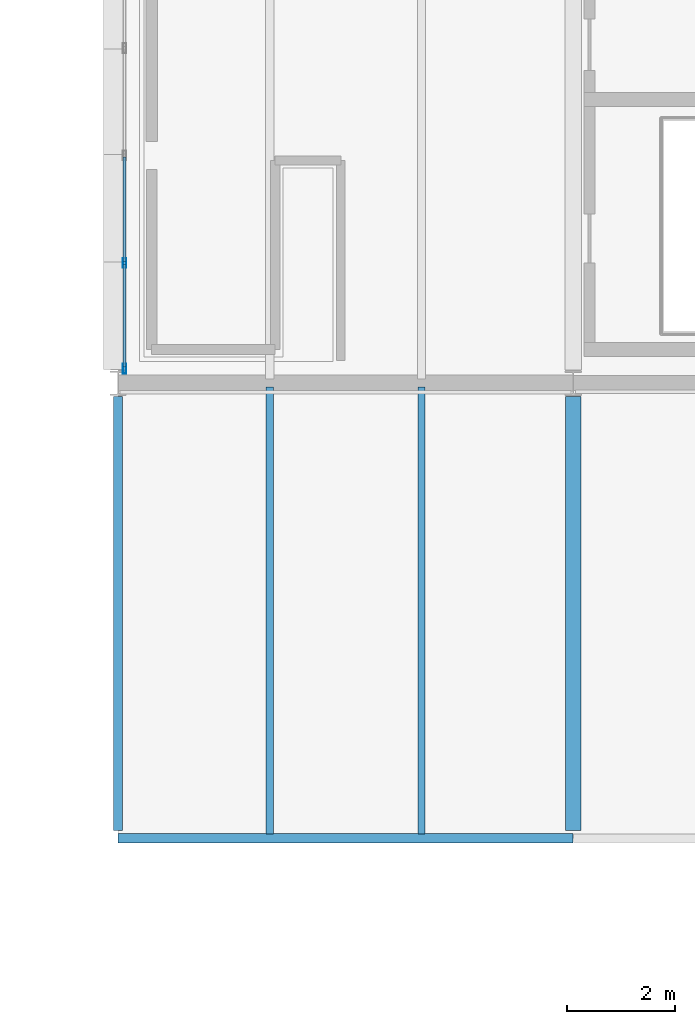
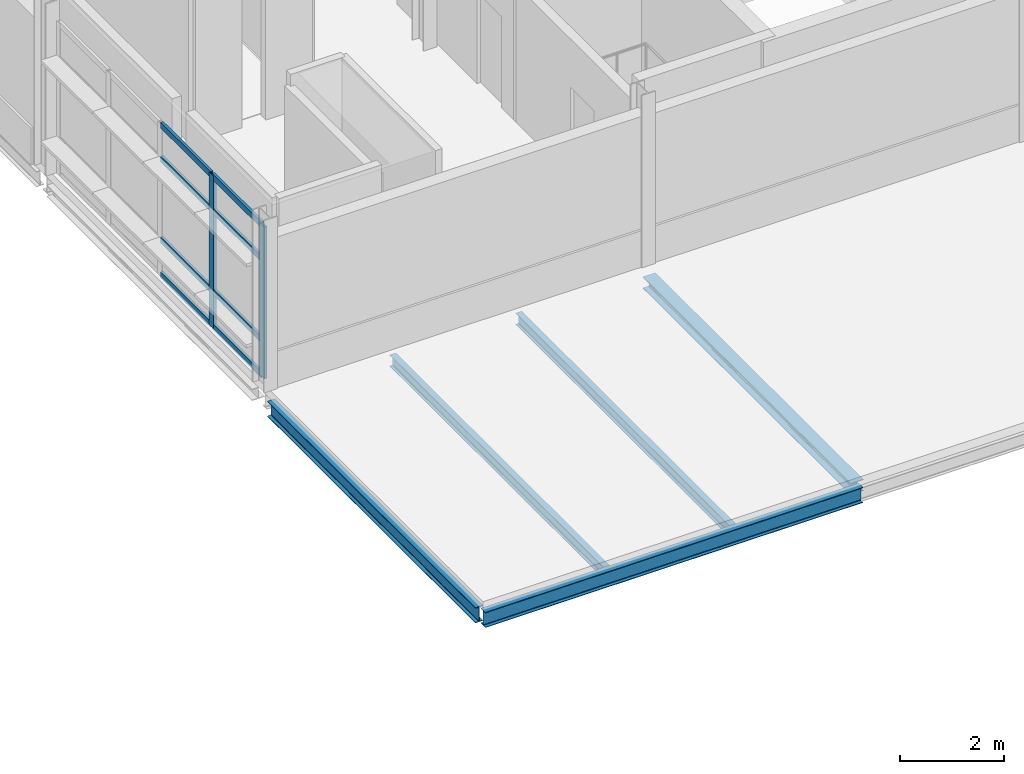
# One storey, part 90 of 151: 10 members, 5 beams, 1 element without a shape of its own.
"""IFC4 building model written with IfcOpenShell, lengths in metres."""

from ifc_helpers import new_model, si_unit, direction, frame, origin, origin_2d, place, context, subcontext, project, spatial, hollow_rectangle, i_section, extrude, material, material_profile, profile_set, type_object, element, aggregate, save


model = new_model("IFC4")

# Units and contexts
model_context = context("Model", 3, precision=1e-05, world=origin(), true_north=direction((0.0, 1.0)))
body_context = subcontext(model_context, "Body", "Model", "MODEL_VIEW")
ifc_project = project(units=[si_unit("LENGTHUNIT", "METRE"), si_unit("AREAUNIT", "SQUARE_METRE"), si_unit("VOLUMEUNIT", "CUBIC_METRE"), si_unit("PLANEANGLEUNIT", "RADIAN"), si_unit("MASSUNIT", "GRAM", prefix="KILO")], contexts=[model_context])

# Site, building, storey
site_placement = place(None, origin())
site = spatial("IfcSite", under=ifc_project, at=site_placement, CompositionType="ELEMENT")
building_placement = place(site_placement, origin())
building = spatial("IfcBuilding", under=site, at=building_placement, Name="Mersafa Astral City Hall", CompositionType="ELEMENT")
storey_placement = place(building_placement, frame((0.0, 0.0, 9.89990234375)))
storey = spatial("IfcBuildingStorey", under=building, at=storey_placement, Name="L02", CompositionType="ELEMENT", Elevation=9.89990234375)

# Curtain wall, members
ifc_material_1 = material(Name="Anodised bronze aluminium framing", Category="aluminium")
curtain_wall_type = type_object("IfcCurtainWallType", Name="ENV-CW-4", PredefinedType="USERDEFINED", material=ifc_material_1)
curtain_wall_placement = place(storey_placement, origin())
curtain_wall = element("IfcCurtainWall", 1, at=curtain_wall_placement, inside=storey, type_object=curtain_wall_type, Name="L02 Unitised solar curtain wall 123", ObjectType="UNITISED CURTAIN WALL", PredefinedType="USERDEFINED")
ifc_material_profile_1 = material_profile(ifc_material_1, hollow_rectangle(XDim=0.06005859375, YDim=0.179931640625, WallThickness=0.00390625, at=origin_2d()), Name="RHS 60x180x4")
ifc_profile_set_1 = profile_set([ifc_material_profile_1], Name="Anodised bronze aluminium framing")
member_type_1 = type_object("IfcMemberType", Name="ENV-CW-MUL-1", PredefinedType="MULLION", material=ifc_profile_set_1)
member_1_placement = place(storey_placement, frame((159.719970703125, 52.618408203125, -0.001953125), z_axis=(0.0, 0.0, 1.0), x_axis=(1.0, 0.0, 0.0)))
member_1 = element("IfcMember", 2, at=member_1_placement, type_object=member_type_1, Name="CW-4 mullion 4", PredefinedType="MULLION", context=body_context, shape_type="SweptSolid", body=[
    extrude(hollow_rectangle(XDim=0.06005859375, YDim=0.179931640625, WallThickness=0.00390625, at=origin_2d()), origin(), (0.0, 0.0, 1.0), 3.5791015625),
])
member_2_placement = place(storey_placement, frame((159.719970703125, 50.6669921875, -0.001953125), z_axis=(0.0, 0.0, 1.0), x_axis=(1.0, 0.0, 0.0)))
member_2 = element("IfcMember", 3, at=member_2_placement, type_object=member_type_1, Name="CW-4 mullion 5", PredefinedType="MULLION", context=body_context, shape_type="SweptSolid", body=[
    extrude(hollow_rectangle(XDim=0.06005859375, YDim=0.179931640625, WallThickness=0.00390625, at=origin_2d()), origin(), (0.0, 0.0, 1.0), 3.5791015625),
])
ifc_material_profile_2 = material_profile(ifc_material_1, hollow_rectangle(XDim=0.06005859375, YDim=0.139892578125, WallThickness=0.00390625, at=origin_2d()), Name="RHS 60x140x4")
ifc_profile_set_2 = profile_set([ifc_material_profile_2], Name="Anodised bronze aluminium framing")
member_type_2 = type_object("IfcMemberType", Name="ENV-CW-TRN-1", PredefinedType="USERDEFINED", material=ifc_profile_set_2)
member_3_placement = place(storey_placement, frame((159.719970703125, 54.570068359375, 0.028076171875), z_axis=(0.0, -1.0, 0.0), x_axis=(1.0, 0.0, 0.0)))
member_3 = element("IfcMember", 4, at=member_3_placement, type_object=member_type_2, Name="CW-4 transom 3.1", ObjectType="TRANSOM", PredefinedType="USERDEFINED", context=body_context, shape_type="SweptSolid", body=[
    extrude(hollow_rectangle(XDim=0.06005859375, YDim=0.139892578125, WallThickness=0.00390625, at=origin_2d()), origin(), (0.0, 0.0, 1.0), 1.921630859375),
])
member_4_placement = place(storey_placement, frame((159.719970703125, 54.570068359375, 0.85009765625), z_axis=(0.0, -1.0, 0.0), x_axis=(1.0, 0.0, 0.0)))
member_4 = element("IfcMember", 5, at=member_4_placement, type_object=member_type_2, Name="CW-4 transom 3.2", ObjectType="TRANSOM", PredefinedType="USERDEFINED", context=body_context, shape_type="SweptSolid", body=[
    extrude(hollow_rectangle(XDim=0.06005859375, YDim=0.139892578125, WallThickness=0.00390625, at=origin_2d()), origin(), (0.0, 0.0, 1.0), 1.921630859375),
])
member_5_placement = place(storey_placement, frame((159.719970703125, 54.570068359375, 2.75), z_axis=(0.0, -1.0, 0.0), x_axis=(1.0, 0.0, 0.0)))
member_5 = element("IfcMember", 6, at=member_5_placement, type_object=member_type_2, Name="CW-4 transom 3.3", ObjectType="TRANSOM", PredefinedType="USERDEFINED", context=body_context, shape_type="SweptSolid", body=[
    extrude(hollow_rectangle(XDim=0.06005859375, YDim=0.139892578125, WallThickness=0.00390625, at=origin_2d()), origin(), (0.0, 0.0, 1.0), 1.921630859375),
])
member_6_placement = place(storey_placement, frame((159.719970703125, 54.570068359375, 3.547119140625), z_axis=(0.0, -1.0, 0.0), x_axis=(1.0, 0.0, 0.0)))
member_6 = element("IfcMember", 7, at=member_6_placement, type_object=member_type_2, Name="CW-4 transom 3.4", ObjectType="TRANSOM", PredefinedType="USERDEFINED", context=body_context, shape_type="SweptSolid", body=[
    extrude(hollow_rectangle(XDim=0.06005859375, YDim=0.139892578125, WallThickness=0.00390625, at=origin_2d()), origin(), (0.0, 0.0, 1.0), 1.921630859375),
])
member_7_placement = place(storey_placement, frame((159.719970703125, 52.58837890625, 0.028076171875), z_axis=(0.0, -1.0, 0.0), x_axis=(1.0, 0.0, 0.0)))
member_7 = element("IfcMember", 8, at=member_7_placement, type_object=member_type_2, Name="CW-4 transom 4.1", ObjectType="TRANSOM", PredefinedType="USERDEFINED", context=body_context, shape_type="SweptSolid", body=[
    extrude(hollow_rectangle(XDim=0.06005859375, YDim=0.139892578125, WallThickness=0.00390625, at=origin_2d()), origin(), (0.0, 0.0, 1.0), 1.891357421875),
])
member_8_placement = place(storey_placement, frame((159.719970703125, 52.58837890625, 0.85009765625), z_axis=(0.0, -1.0, 0.0), x_axis=(1.0, 0.0, 0.0)))
member_8 = element("IfcMember", 9, at=member_8_placement, type_object=member_type_2, Name="CW-4 transom 4.2", ObjectType="TRANSOM", PredefinedType="USERDEFINED", context=body_context, shape_type="SweptSolid", body=[
    extrude(hollow_rectangle(XDim=0.06005859375, YDim=0.139892578125, WallThickness=0.00390625, at=origin_2d()), origin(), (0.0, 0.0, 1.0), 1.891357421875),
])
member_9_placement = place(storey_placement, frame((159.719970703125, 52.58837890625, 2.75), z_axis=(0.0, -1.0, 0.0), x_axis=(1.0, 0.0, 0.0)))
member_9 = element("IfcMember", 10, at=member_9_placement, type_object=member_type_2, Name="CW-4 transom 4.3", ObjectType="TRANSOM", PredefinedType="USERDEFINED", context=body_context, shape_type="SweptSolid", body=[
    extrude(hollow_rectangle(XDim=0.06005859375, YDim=0.139892578125, WallThickness=0.00390625, at=origin_2d()), origin(), (0.0, 0.0, 1.0), 1.891357421875),
])
member_10_placement = place(storey_placement, frame((159.719970703125, 52.58837890625, 3.547119140625), z_axis=(0.0, -1.0, 0.0), x_axis=(1.0, 0.0, 0.0)))
member_10 = element("IfcMember", 11, at=member_10_placement, type_object=member_type_2, Name="CW-4 transom 4.4", ObjectType="TRANSOM", PredefinedType="USERDEFINED", context=body_context, shape_type="SweptSolid", body=[
    extrude(hollow_rectangle(XDim=0.06005859375, YDim=0.139892578125, WallThickness=0.00390625, at=origin_2d()), origin(), (0.0, 0.0, 1.0), 1.891357421875),
])
aggregate(curtain_wall, [member_1, member_2, member_3, member_4, member_5, member_6, member_7, member_8, member_9, member_10])

# Beams
ifc_material_2 = material(Name="Steel S355", Category="steel")
ifc_material_profile_3 = material_profile(ifc_material_2, i_section(OverallWidth=0.135009765625, OverallDepth=0.27001953125, WebThickness=0.006591796875, FlangeThickness=0.01025390625, FilletRadius=0.014892578125, at=origin_2d()), Name="IPE 270")
ifc_profile_set_3 = profile_set([ifc_material_profile_3], Name="Steel S355")
beam_type_1 = type_object("IfcBeamType", Name="STR-BM-JOIST-IPE270", PredefinedType="JOIST", material=ifc_profile_set_3)
for number, where, z_axis, x_axis, name in (
    (12, (162.39990234375, 42.080078125, -0.3349609375), (0.0, 1.0, 0.0), (-1.0, 0.0, 0.0), "L02 Flat roof secondary joist 19"),
    (13, (165.199951171875, 42.080078125, -0.3349609375), (0.0, 1.0, 0.0), (-1.0, 0.0, 0.0), "L02 Flat roof secondary joist 20"),
):
    element("IfcBeam", number, at=place(storey_placement, frame(where, z_axis=z_axis, x_axis=x_axis)), inside=storey, type_object=beam_type_1, Name=name, PredefinedType="JOIST", context=body_context, shape_type="SweptSolid", body=[
        extrude(i_section(OverallWidth=0.135009765625, OverallDepth=0.27001953125, WebThickness=0.006591796875, FlangeThickness=0.01025390625, FilletRadius=0.014892578125, at=origin_2d()), origin(), (0.0, 0.0, 1.0), 8.244873046875),
    ])
ifc_material_profile_4 = material_profile(ifc_material_2, i_section(OverallWidth=0.280029296875, OverallDepth=0.27001953125, WebThickness=0.008056640625, FlangeThickness=0.012939453125, FilletRadius=0.02392578125, at=origin_2d()), Name="HEA 280")
ifc_profile_set_4 = profile_set([ifc_material_profile_4], Name="Steel S355")
beam_type_2 = type_object("IfcBeamType", Name="STR-BM-SPANDREL-HEA280", PredefinedType="SPANDREL", material=ifc_profile_set_4)
beam_1_placement = place(storey_placement, frame((168.0, 42.14501953125, -0.3349609375), z_axis=(0.0, 1.0, 0.0), x_axis=(-1.0, 0.0, 0.0)))
element("IfcBeam", 14, at=beam_1_placement, inside=storey, type_object=beam_type_2, Name="L02 Primary girder Y 20-5", PredefinedType="SPANDREL", context=body_context, shape_type="SweptSolid", body=[
    extrude(i_section(OverallWidth=0.280029296875, OverallDepth=0.27001953125, WebThickness=0.008056640625, FlangeThickness=0.012939453125, FilletRadius=0.02392578125, at=origin_2d()), origin(), (0.0, 0.0, 1.0), 8.010009765625),
])
ifc_material_profile_5 = material_profile(ifc_material_2, i_section(OverallWidth=0.169921875, OverallDepth=0.360107421875, WebThickness=0.008056640625, FlangeThickness=0.0126953125, FilletRadius=0.01806640625, at=origin_2d()), Name="IPE 360")
ifc_profile_set_5 = profile_set([ifc_material_profile_5], Name="Steel S355")
beam_type_3 = type_object("IfcBeamType", Name="STR-BM-SPANDREL-IPE360", PredefinedType="SPANDREL", material=ifc_profile_set_5)
beam_2_placement = place(storey_placement, frame((159.60302734375, 42.0, -0.3798828125), z_axis=(1.0, 0.0, 0.0), x_axis=(0.0, 1.0, 0.0)))
element("IfcBeam", 15, at=beam_2_placement, inside=storey, type_object=beam_type_3, Name="L02 Primary girder X 19-5", PredefinedType="SPANDREL", context=body_context, shape_type="SweptSolid", body=[
    extrude(i_section(OverallWidth=0.169921875, OverallDepth=0.360107421875, WebThickness=0.008056640625, FlangeThickness=0.0126953125, FilletRadius=0.01806640625, at=origin_2d()), origin(), (0.0, 0.0, 1.0), 8.39404296875),
])
beam_3_placement = place(storey_placement, frame((159.60009765625, 42.14501953125, -0.3798828125), z_axis=(0.0, 1.0, 0.0), x_axis=(-1.0, 0.0, 0.0)))
element("IfcBeam", 16, at=beam_3_placement, inside=storey, type_object=beam_type_3, Name="L02 Primary girder Y 19-5", PredefinedType="SPANDREL", context=body_context, shape_type="SweptSolid", body=[
    extrude(i_section(OverallWidth=0.169921875, OverallDepth=0.360107421875, WebThickness=0.008056640625, FlangeThickness=0.0126953125, FilletRadius=0.01806640625, at=origin_2d()), origin(), (0.0, 0.0, 1.0), 8.010009765625),
])

save(model, "model.ifc")
